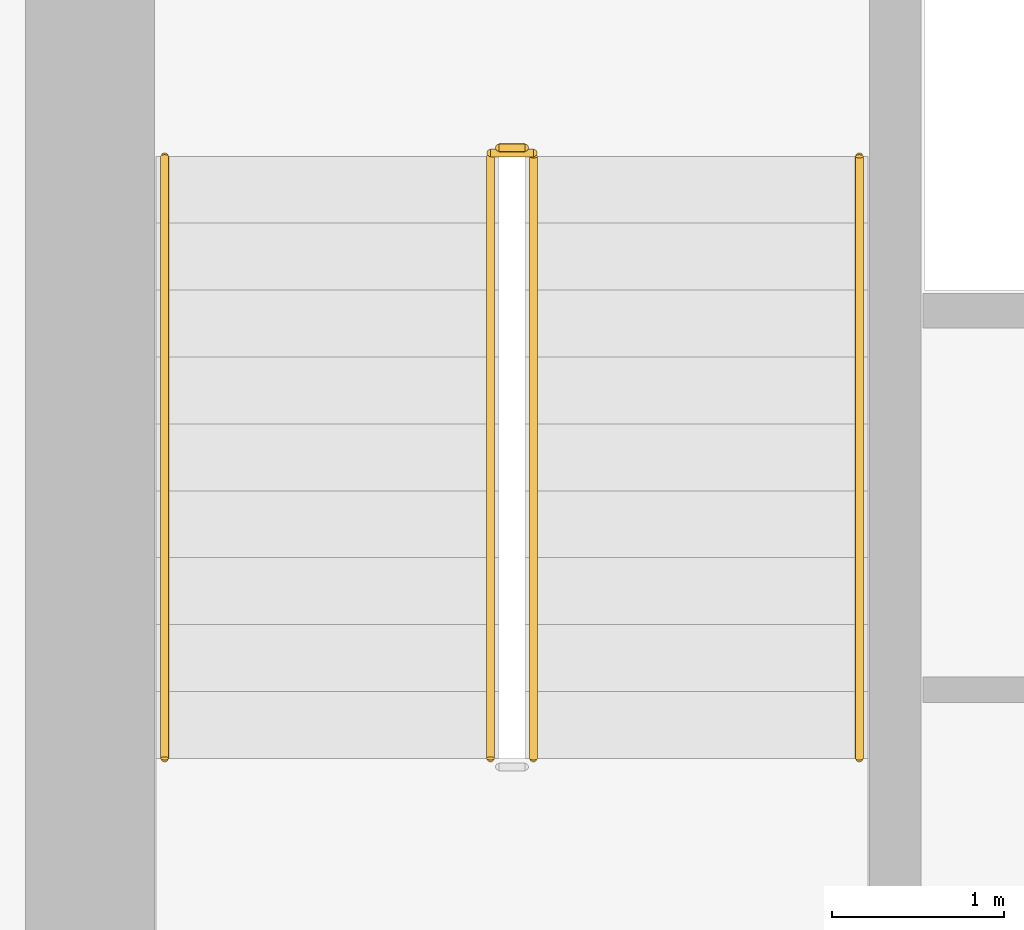
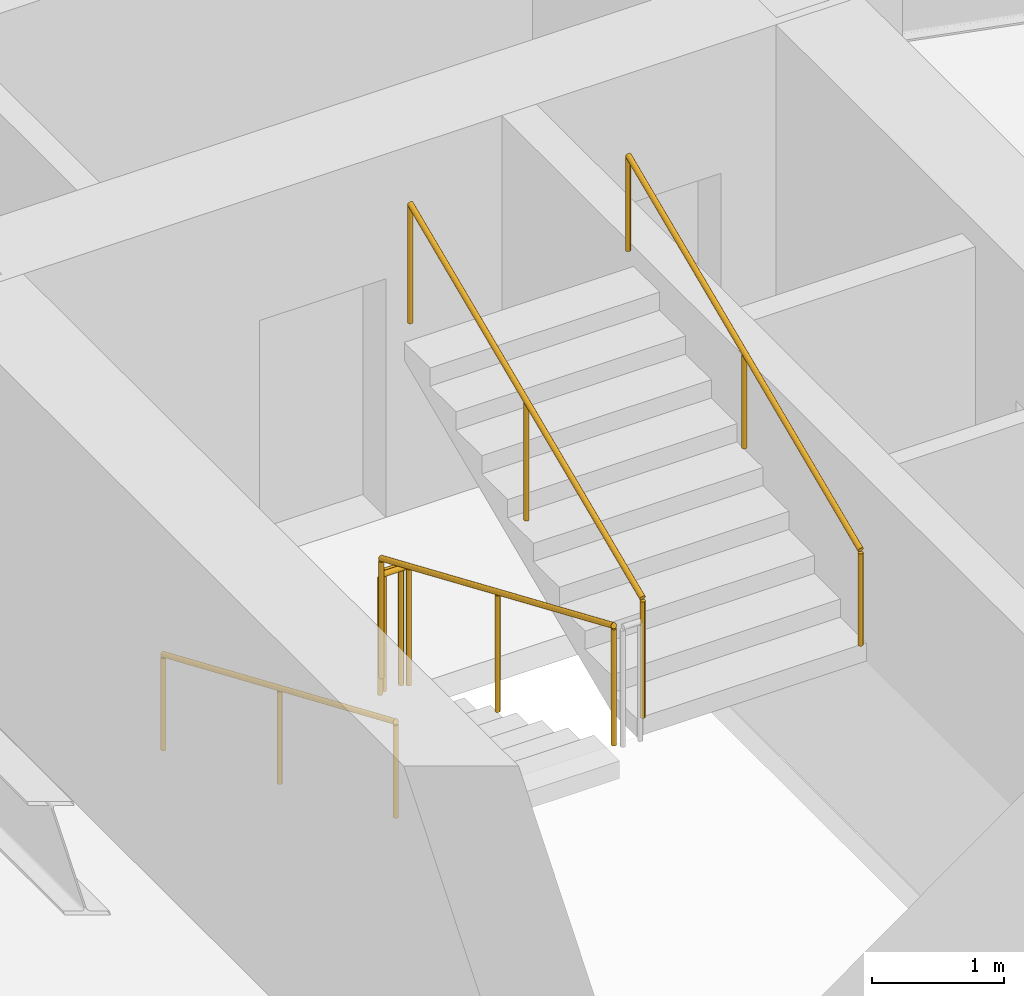
# One storey, part 33 of 37: 6 railings.
"""IFC4 building model written with IfcOpenShell, lengths in metres."""

from ifc_helpers import new_model, si_unit, direction, frame, origin, origin_2d, place, context, subcontext, project, spatial, circle, extrude, material, layer, layer_set, type_object, element, save


model = new_model("IFC4")

# Units and contexts
model_context = context("Model", 3, precision=1e-05, world=origin(), true_north=direction((0.0, 1.0)))
body_context = subcontext(model_context, "Body", "Model", "MODEL_VIEW")
ifc_project = project(units=[si_unit("LENGTHUNIT", "METRE"), si_unit("AREAUNIT", "SQUARE_METRE"), si_unit("VOLUMEUNIT", "CUBIC_METRE"), si_unit("PLANEANGLEUNIT", "RADIAN"), si_unit("MASSUNIT", "GRAM", prefix="KILO")], contexts=[model_context])

# Site, building, storey
site_placement = place(None, origin())
site = spatial("IfcSite", under=ifc_project, at=site_placement, CompositionType="ELEMENT")
building_placement = place(site_placement, origin())
building = spatial("IfcBuilding", under=site, at=building_placement, Name="Hatsunagi Terrace Concourse", CompositionType="ELEMENT")
storey_placement = place(building_placement, frame((0.0, 0.0, 39.949951171875)))
storey = spatial("IfcBuildingStorey", under=building, at=storey_placement, Name="L09", CompositionType="ELEMENT", Elevation=39.949951171875)

# Railings
ifc_material_1 = material(Name="Stainless steel", Category="steel")
ifc_layer_1 = layer(ifc_material_1, 0.044921875)
ifc_layer_set_1 = layer_set([ifc_layer_1], Name="StairPitchHandrail_Tower2000")
railing_type_1 = type_object("IfcRailingType", Name="StairPitchHandrail_Tower2000", PredefinedType="HANDRAIL", material=ifc_layer_set_1)
railing_1_placement = place(storey_placement, frame((36.550048828125, 32.659912109375, 0.16748046875)))
element("IfcRailing", 1, at=railing_1_placement, inside=storey, type_object=railing_type_1, Name="L09 ST-B stair handrail 1", PredefinedType="HANDRAIL", context=body_context, shape_type="SweptSolid", body=[
    extrude(circle(Radius=0.02392578125, at=origin_2d()), frame((0.0, 0.0, 0.8759765625), z_axis=(0.0, -0.918834009242, 0.394644223904), x_axis=(1.0, 0.0, 0.0)), (0.0, 0.0, 1.0), 3.820068359375),
    extrude(circle(Radius=0.02099609375, at=origin_2d()), origin(), (0.0, 0.0, 1.0), 0.851806640625),
    extrude(circle(Radius=0.02099609375, at=origin_2d()), frame((0.0, -1.7548828125, 0.75390625)), (0.0, 0.0, 1.0), 0.851806640625),
    extrude(circle(Radius=0.02099609375, at=origin_2d()), frame((0.0, -3.510009765625, 1.507568359375)), (0.0, 0.0, 1.0), 0.851806640625),
])
railing_2_placement = place(storey_placement, frame((40.60009765625, 29.14990234375, 1.842529296875)))
element("IfcRailing", 2, at=railing_2_placement, inside=storey, type_object=railing_type_1, Name="L09 ST-B stair handrail 2", PredefinedType="HANDRAIL", context=body_context, shape_type="SweptSolid", body=[
    extrude(circle(Radius=0.02392578125, at=origin_2d()), frame((0.0, 0.0, 0.8759765625), z_axis=(0.0, 0.918834009242, 0.394644223904), x_axis=(-1.0, 0.0, 0.0)), (0.0, 0.0, 1.0), 3.820068359375),
    extrude(circle(Radius=0.02099609375, at=origin_2d()), origin(), (0.0, 0.0, 1.0), 0.851806640625),
    extrude(circle(Radius=0.02099609375, at=origin_2d()), frame((0.0, 1.7548828125, 0.75390625)), (0.0, 0.0, 1.0), 0.851806640625),
    extrude(circle(Radius=0.02099609375, at=origin_2d()), frame((0.0, 3.510009765625, 1.507568359375)), (0.0, 0.0, 1.0), 0.851806640625),
])
ifc_material_2 = material(Name="Stainless steel", Category="steel")
ifc_layer_2 = layer(ifc_material_2, 0.06005859375)
ifc_layer_set_2 = layer_set([ifc_layer_2], Name="StairWellGuard_Tower2000")
railing_type_2 = type_object("IfcRailingType", Name="StairWellGuard_Tower2000", PredefinedType="BALUSTRADE", material=ifc_layer_set_2)
railing_3_placement = place(storey_placement, frame((38.449951171875, 32.659912109375, 0.16748046875)))
element("IfcRailing", 3, at=railing_3_placement, inside=storey, type_object=railing_type_2, Name="L09 ST-B stair guard 1", PredefinedType="BALUSTRADE", context=body_context, shape_type="SweptSolid", body=[
    extrude(circle(Radius=0.02392578125, at=origin_2d()), frame((0.0, 0.0, 1.09619140625), z_axis=(0.0, -0.918834009242, 0.394644223904), x_axis=(1.0, 0.0, 0.0)), (0.0, 0.0, 1.0), 3.820068359375),
    extrude(circle(Radius=0.02099609375, at=origin_2d()), origin(), (0.0, 0.0, 1.0), 1.072021484375),
    extrude(circle(Radius=0.02099609375, at=origin_2d()), frame((0.0, -1.7548828125, 0.75390625)), (0.0, 0.0, 1.0), 1.072021484375),
    extrude(circle(Radius=0.02099609375, at=origin_2d()), frame((0.0, -3.510009765625, 1.507568359375)), (0.0, 0.0, 1.0), 1.072021484375),
])
railing_4_placement = place(storey_placement, frame((38.699951171875, 29.14990234375, 1.842529296875)))
element("IfcRailing", 4, at=railing_4_placement, inside=storey, type_object=railing_type_2, Name="L09 ST-B stair guard 3", PredefinedType="BALUSTRADE", context=body_context, shape_type="SweptSolid", body=[
    extrude(circle(Radius=0.02392578125, at=origin_2d()), frame((0.0, 0.0, 1.09619140625), z_axis=(0.0, 0.918834009242, 0.394644223904), x_axis=(-1.0, 0.0, 0.0)), (0.0, 0.0, 1.0), 3.820068359375),
    extrude(circle(Radius=0.02099609375, at=origin_2d()), origin(), (0.0, 0.0, 1.0), 1.072021484375),
    extrude(circle(Radius=0.02099609375, at=origin_2d()), frame((0.0, 1.7548828125, 0.75390625)), (0.0, 0.0, 1.0), 1.072021484375),
    extrude(circle(Radius=0.02099609375, at=origin_2d()), frame((0.0, 3.510009765625, 1.507568359375)), (0.0, 0.0, 1.0), 1.072021484375),
])
railing_5_placement = place(storey_placement, frame((38.5, 32.7099609375, 0.0)))
element("IfcRailing", 5, at=railing_5_placement, inside=storey, type_object=railing_type_2, Name="L09 ST-B stair guard 4", PredefinedType="BALUSTRADE", context=body_context, shape_type="SweptSolid", body=[
    extrude(circle(Radius=0.02392578125, at=origin_2d()), frame((0.0, 0.0, 1.09619140625), z_axis=(1.0, 0.0, 0.0), x_axis=(0.0, 1.0, 0.0)), (0.0, 0.0, 1.0), 0.14990234375),
    extrude(circle(Radius=0.02099609375, at=origin_2d()), origin(), (0.0, 0.0, 1.0), 1.072021484375),
    extrude(circle(Radius=0.02099609375, at=origin_2d()), frame((0.14990234375, 0.0, 0.0)), (0.0, 0.0, 1.0), 1.072021484375),
])
ifc_material_3 = material(Name="Stainless Steel SUS316 Post-and-Rail Guard", Category="steel")
ifc_layer_3 = layer(ifc_material_3, 0.080078125)
ifc_layer_set_3 = layer_set([ifc_layer_3], Name="TerracePlantedGuardRail_1200")
railing_type_3 = type_object("IfcRailingType", Name="TerracePlantedGuardRail_1200", PredefinedType="GUARDRAIL", material=ifc_layer_set_3)
railing_6_placement = place(storey_placement, frame((38.449951171875, 32.679931640625, 0.0)))
element("IfcRailing", 6, at=railing_6_placement, inside=storey, type_object=railing_type_3, Name="Stair ST-B Well Closure Guard L09", PredefinedType="GUARDRAIL", context=body_context, shape_type="SweptSolid", body=[
    extrude(circle(Radius=0.02392578125, at=origin_2d()), frame((0.0, 0.0, 1.09619140625), z_axis=(1.0, 0.0, 0.0), x_axis=(0.0, 1.0, 0.0)), (0.0, 0.0, 1.0), 0.25),
    extrude(circle(Radius=0.02099609375, at=origin_2d()), origin(), (0.0, 0.0, 1.0), 1.072021484375),
    extrude(circle(Radius=0.02099609375, at=origin_2d()), frame((0.25, 0.0, 0.0)), (0.0, 0.0, 1.0), 1.072021484375),
])

save(model, "model.ifc")
